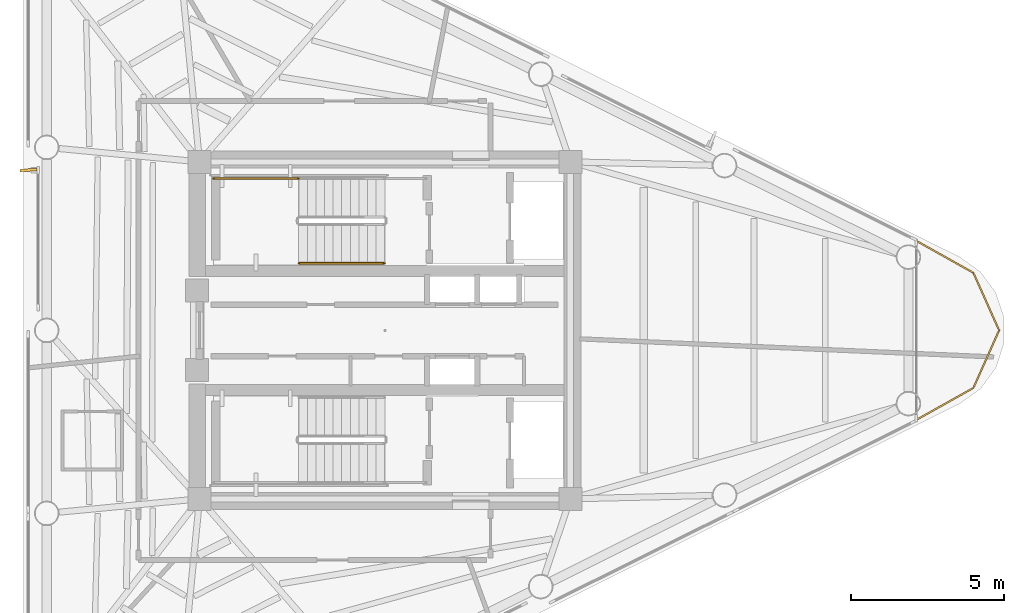
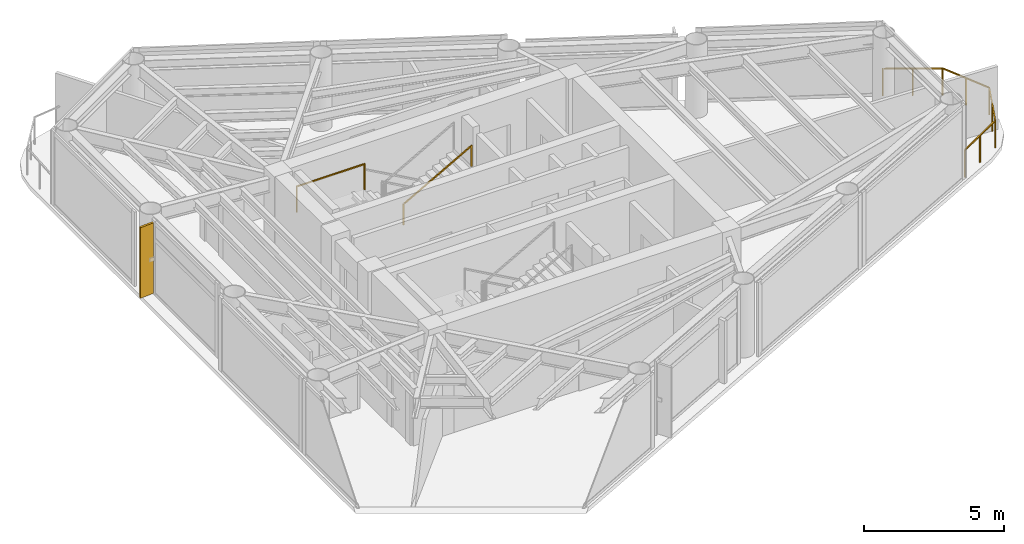
# One storey, part 9 of 10: 3 railings, 1 shading device.
"""IFC4 building model written with IfcOpenShell, lengths in metres."""

from ifc_helpers import new_model, si_unit, direction, frame, origin, origin_2d, place, context, subcontext, project, spatial, rectangle, extrude, source, transform, mapped, material, material_profile, profile_set, type_object, element, save


model = new_model("IFC4")

# Units and contexts
model_context = context("Model", 3, precision=1e-05, world=origin(), true_north=direction((0.0, 1.0)))
body_context = subcontext(model_context, "Body", "Model", "MODEL_VIEW")
ifc_project = project(units=[si_unit("LENGTHUNIT", "METRE"), si_unit("AREAUNIT", "SQUARE_METRE"), si_unit("VOLUMEUNIT", "CUBIC_METRE"), si_unit("PLANEANGLEUNIT", "RADIAN"), si_unit("MASSUNIT", "GRAM", prefix="KILO")], contexts=[model_context])

# Site, building, storey
site_placement = place(None, origin())
site = spatial("IfcSite", under=ifc_project, at=site_placement, CompositionType="ELEMENT")
building_placement = place(site_placement, origin())
building = spatial("IfcBuilding", under=site, at=building_placement, Name="Yunling Apex Tower", CompositionType="ELEMENT")
storey_placement = place(building_placement, frame((0.0, 0.0, 314.0)))
storey = spatial("IfcBuildingStorey", under=building, at=storey_placement, Name="L77", CompositionType="ELEMENT", Elevation=314.0)

# Railings
ifc_material_1 = material(Name="Bronze anodised aluminium", Category="aluminium")
railing_type_1 = type_object("IfcRailingType", Name="RL-BAL-1200", PredefinedType="BALUSTRADE", material=ifc_material_1)
railing_1_placement = place(storey_placement, frame((17.349365234375, 2.919677734375, 0.0)))
element("IfcRailing", 1, at=railing_1_placement, inside=storey, type_object=railing_type_1, Name="RL-CRNSILL-L77-1", PredefinedType="BALUSTRADE", context=body_context, shape_type="SweptSolid", body=[
    extrude(rectangle(XDim=0.0439453125, YDim=0.0439453125, at=origin_2d()), origin(), (0.0, 0.0, 1.0), 1.199951171875),
    extrude(rectangle(XDim=0.0439453125, YDim=0.0439453125, at=origin_2d()), frame((1.85791015625, -1.040771484375, 0.0)), (0.0, 0.0, 1.0), 1.199951171875),
    extrude(rectangle(XDim=0.050048828125, YDim=0.050048828125, at=origin_2d()), frame((0.033447265625, -0.018798828125, 1.1748046875), z_axis=(0.872437584312, -0.488725548216, 0.0), x_axis=(0.488725548216, 0.872437584312, 0.0)), (0.0, 0.0, 1.0), 2.052978515625),
    extrude(rectangle(XDim=0.0439453125, YDim=0.0439453125, at=origin_2d()), frame((0.928955078125, -0.5205078125, 0.0)), (0.0, 0.0, 1.0), 1.14599609375),
    extrude(rectangle(XDim=0.0439453125, YDim=0.0439453125, at=origin_2d()), frame((2.697021484375, -2.919677734375, 0.0)), (0.0, 0.0, 1.0), 1.199951171875),
    extrude(rectangle(XDim=0.050048828125, YDim=0.050048828125, at=origin_2d()), frame((1.87353515625, -1.07568359375, 1.1748046875), z_axis=(0.407778028912, -0.913081091216, 0.0), x_axis=(0.913081091216, 0.407778028912, 0.0)), (0.0, 0.0, 1.0), 1.981201171875),
    extrude(rectangle(XDim=0.0439453125, YDim=0.0439453125, at=origin_2d()), frame((2.27734375, -1.980224609375, 0.0)), (0.0, 0.0, 1.0), 1.14599609375),
    extrude(rectangle(XDim=0.0439453125, YDim=0.0439453125, at=origin_2d()), frame((1.85791015625, -4.798583984375, 0.0)), (0.0, 0.0, 1.0), 1.199951171875),
    extrude(rectangle(XDim=0.050048828125, YDim=0.050048828125, at=origin_2d()), frame((2.681396484375, -2.95458984375, 1.1748046875), z_axis=(-0.407778028912, -0.913081091216, 0.0), x_axis=(0.913081091216, -0.407778028912, 0.0)), (0.0, 0.0, 1.0), 1.981201171875),
    extrude(rectangle(XDim=0.0439453125, YDim=0.0439453125, at=origin_2d()), frame((2.27734375, -3.859130859375, 0.0)), (0.0, 0.0, 1.0), 1.14599609375),
    extrude(rectangle(XDim=0.0439453125, YDim=0.0439453125, at=origin_2d()), frame((0.0, -5.83935546875, 0.0)), (0.0, 0.0, 1.0), 1.199951171875),
    extrude(rectangle(XDim=0.050048828125, YDim=0.050048828125, at=origin_2d()), frame((1.824462890625, -4.8173828125, 1.1748046875), z_axis=(-0.872437584312, -0.488725548216, 0.0), x_axis=(0.488725548216, -0.872437584312, 0.0)), (0.0, 0.0, 1.0), 2.052978515625),
    extrude(rectangle(XDim=0.0439453125, YDim=0.0439453125, at=origin_2d()), frame((0.928955078125, -5.31884765625, 0.0)), (0.0, 0.0, 1.0), 1.14599609375),
])
ifc_material_2 = material(Name="Steel Q355B", Category="steel")
railing_type_2 = type_object("IfcRailingType", Name="RL-GRD-1150", PredefinedType="GUARDRAIL", material=ifc_material_2)
railing_2_placement = place(storey_placement, frame((-2.81005859375, 4.9599609375, 1.72509765625)))
element("IfcRailing", 2, at=railing_2_placement, inside=storey, type_object=railing_type_2, Name="L77 ST-1 stair guard 3", PredefinedType="GUARDRAIL", context=body_context, shape_type="SweptSolid", body=[
    extrude(rectangle(XDim=0.0439453125, YDim=0.0439453125, at=origin_2d()), origin(), (0.0, 0.0, 1.0), 1.14990234375),
    extrude(rectangle(XDim=0.0439453125, YDim=0.0439453125, at=origin_2d()), frame((-2.7900390625, 0.0, 0.0)), (0.0, 0.0, 1.0), 1.14990234375),
    extrude(rectangle(XDim=0.050048828125, YDim=0.050048828125, at=origin_2d()), frame((-0.038330078125, 0.0, 1.125), z_axis=(-1.0, 0.0, 0.0), x_axis=(0.0, -1.0, 0.0)), (0.0, 0.0, 1.0), 2.71337890625),
])
ifc_material_3 = material(Name="Silver anodised aluminium", Category="aluminium")
railing_type_3 = type_object("IfcRailingType", Name="RL-HND-900", PredefinedType="HANDRAIL", material=ifc_material_3)
railing_3_placement = place(storey_placement, frame((-2.81005859375, 2.18994140625, 1.8818359375)))
element("IfcRailing", 3, at=railing_3_placement, inside=storey, type_object=railing_type_3, Name="L77 ST-1 stair handrail 2", PredefinedType="HANDRAIL", context=body_context, shape_type="SweptSolid", body=[
    extrude(rectangle(XDim=0.0439453125, YDim=0.0439453125, at=origin_2d()), origin(), (0.0, 0.0, 1.0), 0.919921875),
    extrude(rectangle(XDim=0.0439453125, YDim=0.0439453125, at=origin_2d()), frame((2.800048828125, 0.0, 1.568115234375)), (0.0, 0.0, 1.0), 0.919921875),
    extrude(rectangle(XDim=0.050048828125, YDim=0.050048828125, at=origin_2d()), frame((0.033447265625, 0.0, 0.91357421875), z_axis=(0.872494340497, 0.0, 0.48862421737), x_axis=(0.0, 1.0, 0.0)), (0.0, 0.0, 1.0), 3.132568359375),
])

# Shading device
ifc_material_profile = material_profile(ifc_material_1, rectangle(XDim=0.0849609375, YDim=0.550048828125, at=origin_2d()))
ifc_profile_set = profile_set([ifc_material_profile], Name="Bronze anodised aluminium")
shading_device_type = type_object("IfcShadingDeviceType", Name="FN-BRZ-3", PredefinedType="USERDEFINED", material=ifc_profile_set)
shared_shape = source(origin(), body_context, "Body", "SweptSolid", [
    extrude(rectangle(XDim=0.0849609375, YDim=0.550048828125, at=origin_2d()), origin(), (0.0, 0.0, 1.0), 3.070068359375),
])
shading_device_placement = place(storey_placement, frame((-11.63232421875, 5.232666015625, 0.06005859375), z_axis=(0.0, 0.0, 1.0), x_axis=(0.06540312923, -0.997858923239, 0.0)))
element("IfcShadingDevice", 4, at=shading_device_placement, inside=storey, type_object=shading_device_type, Name="CW-L77-F3-B2-FIN-01", ObjectType="FIN", PredefinedType="USERDEFINED", context=body_context, shape_type="MappedRepresentation", body=[
    mapped(shared_shape, transform((0.0, 0.0, 0.0), scale=1.0)),
])

save(model, "model.ifc")
